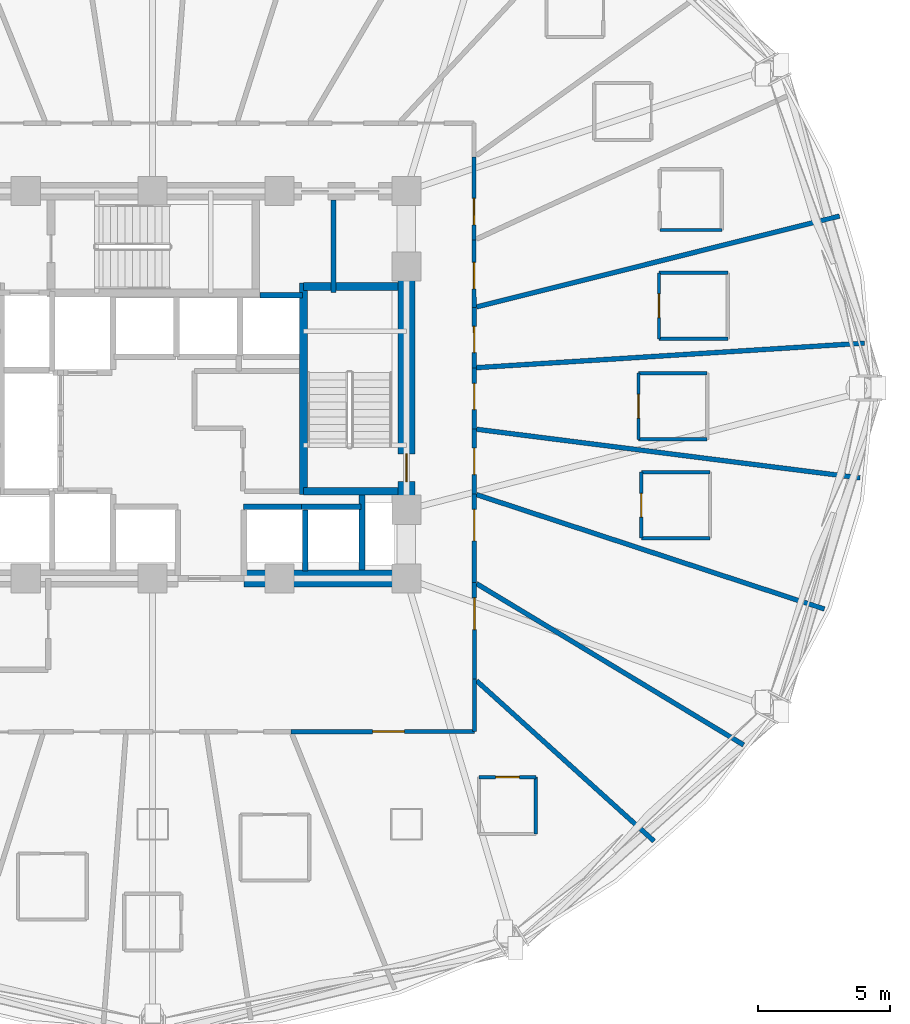
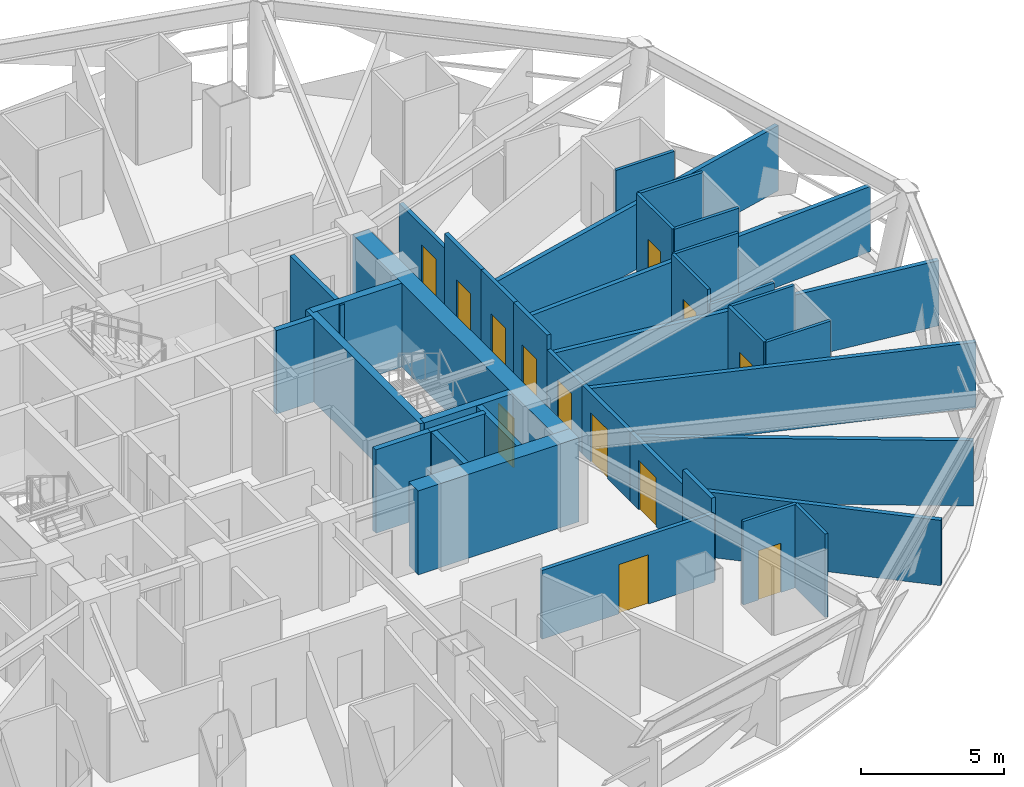
# One storey, part 7 of 13: 38 walls, 13 doors, 13 openings.
"""IFC4 building model written with IfcOpenShell, lengths in metres."""

from ifc_helpers import new_model, si_unit, direction, frame, frame_2d, origin, place, context, subcontext, project, spatial, rectangle, extrude, material, layer, layer_set, type_object, element, fill, save


model = new_model("IFC4")

# Units and contexts
model_context = context("Model", 3, precision=1e-05, world=origin(), true_north=direction((0.0, 1.0)))
body_context = subcontext(model_context, "Body", "Model", "MODEL_VIEW")
ifc_project = project(units=[si_unit("LENGTHUNIT", "METRE"), si_unit("AREAUNIT", "SQUARE_METRE"), si_unit("VOLUMEUNIT", "CUBIC_METRE"), si_unit("PLANEANGLEUNIT", "RADIAN"), si_unit("MASSUNIT", "GRAM", prefix="KILO")], contexts=[model_context])

# Site, building, storey
site_placement = place(None, origin())
site = spatial("IfcSite", under=ifc_project, at=site_placement, CompositionType="ELEMENT")
building_placement = place(site_placement, origin())
building = spatial("IfcBuilding", under=site, at=building_placement, Name="Vantalir Tower", CompositionType="ELEMENT")
storey_placement = place(building_placement, frame((0.0, 0.0, 53.25)))
storey = spatial("IfcBuildingStorey", under=building, at=storey_placement, Name="L12", CompositionType="ELEMENT", Elevation=53.25)

# Walls
ifc_material_1 = material(Name="Moisture-resistant en-suite partition", Category="gypsum")
ifc_layer_1 = layer(ifc_material_1, 0.125)
ifc_layer_set_1 = layer_set([ifc_layer_1], Name="Moisture-resistant en-suite partition")
wall_type_1 = type_object("IfcWallType", Name="WL-BATH-125", PredefinedType="PARTITIONING", material=ifc_layer_set_1)
for number, where, z_axis, x_axis, name in (
    (1, (50.656005859375, 26.863037109375, 0.0), (0.0, 0.0, 1.0), (1.0, 0.0, 0.0), "L12 En-suite 01 South Wall"),
    (2, (50.656005859375, 29.363037109375, 0.0), (0.0, 0.0, 1.0), (1.0, 0.0, 0.0), "L12 En-suite 01 North Wall"),
):
    element("IfcWall", number, at=place(storey_placement, frame(where, z_axis=z_axis, x_axis=x_axis)), inside=storey, type_object=wall_type_1, Name=name, PredefinedType="PARTITIONING", context=body_context, shape_type="SweptSolid", body=[
        extrude(rectangle(XDim=2.60009765625, YDim=0.125, at=frame_2d((1.300048828125, 0.0))), origin(), (0.0, 0.0, 1.0), 3.550048828125),
    ])

# Wall, opening, door
wall_1_placement = place(storey_placement, frame((50.656005859375, 26.863037109375, 0.0), z_axis=(0.0, 0.0, 1.0), x_axis=(0.0, 1.0, 0.0)))
wall_1 = element("IfcWall", 3, at=wall_1_placement, inside=storey, type_object=wall_type_1, Name="L12 En-suite 01 West Wall", PredefinedType="PARTITIONING", context=body_context, shape_type="SweptSolid", body=[
    extrude(rectangle(XDim=2.5, YDim=0.125, at=frame_2d((1.25, 0.0))), origin(), (0.0, 0.0, 1.0), 3.550048828125),
])
opening_1_placement = place(wall_1_placement, frame((0.800048828125, 0.0, 0.0)))
opening_1 = element("IfcOpeningElement", 4, at=opening_1_placement, cuts=wall_1, Name="Opening D-WC", PredefinedType="OPENING", context=body_context, shape_type="SweptSolid", body=[
    extrude(rectangle(XDim=0.89990234375, YDim=2.10009765625, at=frame_2d((0.449951171875, 1.050048828125))), frame((0.0, 0.072509765625, 0.0), z_axis=(0.0, -1.0, 0.0), x_axis=(1.0, 0.0, 0.0)), (0.0, 0.0, 1.0), 0.14501953125),
])
ifc_material_2 = material(Name="Moisture-resistant hardwood door", Category="wood")
door_type_1 = type_object("IfcDoorType", Name="DR-ENSUITE-900", OperationType="NOTDEFINED", PredefinedType="DOOR", material=ifc_material_2)
door_1_placement = place(opening_1_placement, frame((0.89990234375, 0.0, 0.0), z_axis=(0.0, 0.0, 1.0), x_axis=(-1.0, 0.0, 0.0)))
door_1 = element("IfcDoor", 5, at=door_1_placement, inside=storey, type_object=door_type_1, Name="L12 En-suite 01 Door", OperationType="SINGLE_SWING_RIGHT", OverallHeight=2.10009765625, OverallWidth=0.89990234375, PredefinedType="DOOR", context=body_context, shape_type="SweptSolid", body=[
    extrude(rectangle(XDim=0.89990234375, YDim=2.10009765625, at=frame_2d((0.449951171875, 1.050048828125))), frame((0.0, 0.02490234375, 0.0), z_axis=(0.0, -1.0, 0.0), x_axis=(1.0, 0.0, 0.0)), (0.0, 0.0, 1.0), 0.050048828125),
])
fill(opening_1, door_1)

# Wall
wall_2_placement = place(storey_placement, frame((50.681884765625, 30.97802734375, 0.0), z_axis=(0.0, 0.0, 1.0), x_axis=(1.0, 0.0, 0.0)))
element("IfcWall", 6, at=wall_2_placement, inside=storey, type_object=wall_type_1, Name="L12 En-suite 02 South Wall", PredefinedType="PARTITIONING", context=body_context, shape_type="SweptSolid", body=[
    extrude(rectangle(XDim=2.35009765625, YDim=0.125, at=frame_2d((1.175048828125, 0.0))), origin(), (0.0, 0.0, 1.0), 3.550048828125),
])

# Wall, opening, door
wall_3_placement = place(storey_placement, frame((43.846923828125, 10.285888671875, 0.0), z_axis=(0.0, 0.0, 1.0), x_axis=(1.0, 0.0, 0.0)))
wall_3 = element("IfcWall", 7, at=wall_3_placement, inside=storey, type_object=wall_type_1, Name="L12 En-suite 24 North Wall", PredefinedType="PARTITIONING", context=body_context, shape_type="SweptSolid", body=[
    extrude(rectangle(XDim=2.150146484375, YDim=0.125, at=frame_2d((1.0751953125, 0.0))), origin(), (0.0, 0.0, 1.0), 3.550048828125),
])
opening_2_placement = place(wall_3_placement, frame((0.625, 0.0, 0.0)))
opening_2 = element("IfcOpeningElement", 8, at=opening_2_placement, cuts=wall_3, Name="Opening D-WC", PredefinedType="OPENING", context=body_context, shape_type="SweptSolid", body=[
    extrude(rectangle(XDim=0.89990234375, YDim=2.10009765625, at=frame_2d((0.449951171875, 1.050048828125))), frame((0.0, 0.072509765625, 0.0), z_axis=(0.0, -1.0, 0.0), x_axis=(1.0, 0.0, 0.0)), (0.0, 0.0, 1.0), 0.14501953125),
])
door_2_placement = place(opening_2_placement, frame((0.89990234375, 0.0, 0.0), z_axis=(0.0, 0.0, 1.0), x_axis=(-1.0, 0.0, 0.0)))
door_2 = element("IfcDoor", 9, at=door_2_placement, inside=storey, type_object=door_type_1, Name="L12 En-suite 24 Door", OperationType="SINGLE_SWING_LEFT", OverallHeight=2.10009765625, OverallWidth=0.89990234375, PredefinedType="DOOR", context=body_context, shape_type="SweptSolid", body=[
    extrude(rectangle(XDim=0.89990234375, YDim=2.10009765625, at=frame_2d((0.449951171875, 1.050048828125))), frame((0.0, 0.02490234375, 0.0), z_axis=(0.0, -1.0, 0.0), x_axis=(1.0, 0.0, 0.0)), (0.0, 0.0, 1.0), 0.050048828125),
])
fill(opening_2, door_2)

# Walls
wall_4_placement = place(storey_placement, frame((45.9970703125, 8.135986328125, 0.0), z_axis=(0.0, 0.0, 1.0), x_axis=(0.0, 1.0, 0.0)))
element("IfcWall", 10, at=wall_4_placement, inside=storey, type_object=wall_type_1, Name="L12 En-suite 24 East Wall", PredefinedType="PARTITIONING", context=body_context, shape_type="SweptSolid", body=[
    extrude(rectangle(XDim=2.14990234375, YDim=0.125, at=frame_2d((1.074951171875, 0.0))), origin(), (0.0, 0.0, 1.0), 3.550048828125),
])
for number, where, z_axis, x_axis, name in (
    (11, (49.985107421875, 19.322998046875, 0.0), (0.0, 0.0, 1.0), (1.0, 0.0, 0.0), "L12 En-suite 27 South Wall"),
    (12, (49.985107421875, 21.822998046875, 0.0), (0.0, 0.0, 1.0), (1.0, 0.0, 0.0), "L12 En-suite 27 North Wall"),
):
    element("IfcWall", number, at=place(storey_placement, frame(where, z_axis=z_axis, x_axis=x_axis)), inside=storey, type_object=wall_type_1, Name=name, PredefinedType="PARTITIONING", context=body_context, shape_type="SweptSolid", body=[
        extrude(rectangle(XDim=2.599853515625, YDim=0.125, at=frame_2d((1.2998046875, 0.0))), origin(), (0.0, 0.0, 1.0), 3.550048828125),
    ])

# Wall, opening, door
wall_5_placement = place(storey_placement, frame((49.985107421875, 19.322998046875, 0.0), z_axis=(0.0, 0.0, 1.0), x_axis=(0.0, 1.0, 0.0)))
wall_5 = element("IfcWall", 13, at=wall_5_placement, inside=storey, type_object=wall_type_1, Name="L12 En-suite 27 West Wall", PredefinedType="PARTITIONING", context=body_context, shape_type="SweptSolid", body=[
    extrude(rectangle(XDim=2.5, YDim=0.125, at=frame_2d((1.25, 0.0))), origin(), (0.0, 0.0, 1.0), 3.550048828125),
])
opening_3_placement = place(wall_5_placement, frame((0.800048828125, 0.0, 0.0)))
opening_3 = element("IfcOpeningElement", 14, at=opening_3_placement, cuts=wall_5, Name="Opening D-WC", PredefinedType="OPENING", context=body_context, shape_type="SweptSolid", body=[
    extrude(rectangle(XDim=0.89990234375, YDim=2.10009765625, at=frame_2d((0.449951171875, 1.050048828125))), frame((0.0, 0.072509765625, 0.0), z_axis=(0.0, -1.0, 0.0), x_axis=(1.0, 0.0, 0.0)), (0.0, 0.0, 1.0), 0.14501953125),
])
door_3_placement = place(opening_3_placement, frame((0.89990234375, 0.0, 0.0), z_axis=(0.0, 0.0, 1.0), x_axis=(-1.0, 0.0, 0.0)))
door_3 = element("IfcDoor", 15, at=door_3_placement, inside=storey, type_object=door_type_1, Name="L12 En-suite 27 Door", OperationType="SINGLE_SWING_RIGHT", OverallHeight=2.10009765625, OverallWidth=0.89990234375, PredefinedType="DOOR", context=body_context, shape_type="SweptSolid", body=[
    extrude(rectangle(XDim=0.89990234375, YDim=2.10009765625, at=frame_2d((0.449951171875, 1.050048828125))), frame((0.0, 0.02490234375, 0.0), z_axis=(0.0, -1.0, 0.0), x_axis=(1.0, 0.0, 0.0)), (0.0, 0.0, 1.0), 0.050048828125),
])
fill(opening_3, door_3)

# Walls
wall_6_placement = place(storey_placement, frame((49.8779296875, 23.06298828125, 0.0), z_axis=(0.0, 0.0, 1.0), x_axis=(1.0, 0.0, 0.0)))
element("IfcWall", 16, at=wall_6_placement, inside=storey, type_object=wall_type_1, Name="L12 En-suite 28 South Wall", PredefinedType="PARTITIONING", context=body_context, shape_type="SweptSolid", body=[
    extrude(rectangle(XDim=2.60009765625, YDim=0.125, at=frame_2d((1.300048828125, 0.0))), origin(), (0.0, 0.0, 1.0), 2.927978515625),
])
wall_7_placement = place(storey_placement, frame((49.8779296875, 25.56298828125, 0.0), z_axis=(0.0, 0.0, 1.0), x_axis=(1.0, 0.0, 0.0)))
element("IfcWall", 17, at=wall_7_placement, inside=storey, type_object=wall_type_1, Name="L12 En-suite 28 North Wall", PredefinedType="PARTITIONING", context=body_context, shape_type="SweptSolid", body=[
    extrude(rectangle(XDim=2.60009765625, YDim=0.125, at=frame_2d((1.300048828125, 0.0))), origin(), (0.0, 0.0, 1.0), 3.550048828125),
])

# Wall, opening, door
wall_8_placement = place(storey_placement, frame((49.8779296875, 23.06298828125, 0.0), z_axis=(0.0, 0.0, 1.0), x_axis=(0.0, 1.0, 0.0)))
wall_8 = element("IfcWall", 18, at=wall_8_placement, inside=storey, type_object=wall_type_1, Name="L12 En-suite 28 West Wall", PredefinedType="PARTITIONING", context=body_context, shape_type="SweptSolid", body=[
    extrude(rectangle(XDim=2.5, YDim=0.125, at=frame_2d((1.25, 0.0))), origin(), (0.0, 0.0, 1.0), 3.550048828125),
])
opening_4_placement = place(wall_8_placement, frame((0.800048828125, 0.0, 0.0)))
opening_4 = element("IfcOpeningElement", 19, at=opening_4_placement, cuts=wall_8, Name="Opening D-WC", PredefinedType="OPENING", context=body_context, shape_type="SweptSolid", body=[
    extrude(rectangle(XDim=0.89990234375, YDim=2.10009765625, at=frame_2d((0.449951171875, 1.050048828125))), frame((0.0, 0.072509765625, 0.0), z_axis=(0.0, -1.0, 0.0), x_axis=(1.0, 0.0, 0.0)), (0.0, 0.0, 1.0), 0.14501953125),
])
door_4_placement = place(opening_4_placement, frame((0.89990234375, 0.0, 0.0), z_axis=(0.0, 0.0, 1.0), x_axis=(-1.0, 0.0, 0.0)))
door_4 = element("IfcDoor", 20, at=door_4_placement, inside=storey, type_object=door_type_1, Name="L12 En-suite 28 Door", OperationType="SINGLE_SWING_LEFT", OverallHeight=2.10009765625, OverallWidth=0.89990234375, PredefinedType="DOOR", context=body_context, shape_type="SweptSolid", body=[
    extrude(rectangle(XDim=0.89990234375, YDim=2.10009765625, at=frame_2d((0.449951171875, 1.050048828125))), frame((0.0, 0.02490234375, 0.0), z_axis=(0.0, -1.0, 0.0), x_axis=(1.0, 0.0, 0.0)), (0.0, 0.0, 1.0), 0.050048828125),
])
fill(opening_4, door_4)

# Wall
ifc_material_3 = material(Name="Concrete C60/75", Category="concrete")
ifc_layer_2 = layer(ifc_material_3, 0.64990234375)
ifc_layer_set_2 = layer_set([ifc_layer_2], Name="Concrete C60/75")
wall_type_2 = type_object("IfcWallType", Name="WL-CORE-650", PredefinedType="SHEAR", material=ifc_layer_set_2)
wall_9_placement = place(storey_placement, frame((34.949951171875, 17.800048828125, 0.0), z_axis=(0.0, 0.0, 1.0), x_axis=(1.0, 0.0, 0.0)))
element("IfcWall", 21, at=wall_9_placement, inside=storey, type_object=wall_type_2, Name="L12 Core Shear Wall South-East", PredefinedType="SHEAR", context=body_context, shape_type="SweptSolid", body=[
    extrude(rectangle(XDim=6.47509765625, YDim=0.64990234375, at=frame_2d((3.237548828125, 0.0))), origin(), (0.0, 0.0, 1.0), 3.570068359375),
])

# Wall, opening, door
wall_10_placement = place(storey_placement, frame((41.10009765625, 18.125, 0.0), z_axis=(0.0, 0.0, 1.0), x_axis=(0.0, 1.0, 0.0)))
wall_10 = element("IfcWall", 22, at=wall_10_placement, inside=storey, type_object=wall_type_2, Name="L12 Core Shear Wall East", PredefinedType="SHEAR", context=body_context, shape_type="SweptSolid", body=[
    extrude(rectangle(XDim=14.0, YDim=0.64990234375, at=frame_2d((7.0, 0.0))), origin(), (0.0, 0.0, 1.0), 3.570068359375),
])
opening_5_placement = place(wall_10_placement, frame((3.3349609375, 0.0, 0.0)))
opening_5 = element("IfcOpeningElement", 23, at=opening_5_placement, cuts=wall_10, Name="Opening D-ST", PredefinedType="OPENING", context=body_context, shape_type="SweptSolid", body=[
    extrude(rectangle(XDim=1.050048828125, YDim=2.10009765625, at=frame_2d((0.52490234375, 1.050048828125))), frame((0.0, 0.3349609375, 0.0), z_axis=(0.0, -1.0, 0.0), x_axis=(1.0, 0.0, 0.0)), (0.0, 0.0, 1.0), 0.669921875),
])
ifc_material_4 = material(Name="Fire-rated steel door leaf", Category="steel")
door_type_2 = type_object("IfcDoorType", Name="DR-FIRE-STAIR-1050", OperationType="NOTDEFINED", PredefinedType="DOOR", material=ifc_material_4)
door_5_placement = place(opening_5_placement, origin())
door_5 = element("IfcDoor", 24, at=door_5_placement, inside=storey, type_object=door_type_2, Name="L12 Exit Stair ST2 Fire Door", OperationType="SINGLE_SWING_LEFT", OverallHeight=2.10009765625, OverallWidth=1.050048828125, PredefinedType="DOOR", context=body_context, shape_type="SweptSolid", body=[
    extrude(rectangle(XDim=1.050048828125, YDim=2.10009765625, at=frame_2d((0.52490234375, 1.050048828125))), frame((0.0, 0.02490234375, 0.0), z_axis=(0.0, -1.0, 0.0), x_axis=(1.0, 0.0, 0.0)), (0.0, 0.0, 1.0), 0.050048828125),
])
fill(opening_5, door_5)

ifc_material_5 = material(Name="Fire-rated hotel corridor acoustic partition", Category="gypsum")
ifc_layer_3 = layer(ifc_material_5, 0.159912109375)
ifc_layer_set_3 = layer_set([ifc_layer_3], Name="Fire-rated hotel corridor acoustic partition")
wall_type_3 = type_object("IfcWallType", Name="WL-CORR-160", PredefinedType="PARTITIONING", material=ifc_layer_set_3)
wall_11_placement = place(storey_placement, frame((43.656982421875, 33.737060546875, 0.0), z_axis=(0.0, 0.0, 1.0), x_axis=(0.000933270709, -0.999999564503, 0.0)))
wall_11 = element("IfcWall", 25, at=wall_11_placement, inside=storey, type_object=wall_type_3, Name="L12 Corridor Partition 16", PredefinedType="PARTITIONING", context=body_context, shape_type="SweptSolid", body=[
    extrude(rectangle(XDim=3.13916015625, YDim=0.159912109375, at=frame_2d((1.569580078125, 0.0))), origin(), (0.0, 0.0, 1.0), 2.927978515625),
])
opening_6_placement = place(wall_11_placement, frame((1.55908203125, 0.0, 0.0)))
opening_6 = element("IfcOpeningElement", 26, at=opening_6_placement, cuts=wall_11, Name="Opening D-GUEST", PredefinedType="OPENING", context=body_context, shape_type="SweptSolid", body=[
    extrude(rectangle(XDim=1.0, YDim=2.10009765625, at=frame_2d((0.5, 1.050048828125))), frame((0.0, 0.08984375, 0.0), z_axis=(0.0, -1.0, 0.0), x_axis=(1.0, 0.0, 0.0)), (0.0, 0.0, 1.0), 0.179931640625),
])
ifc_material_6 = material(Name="Solid-core teak veneer acoustic fire door", Category="wood")
door_type_3 = type_object("IfcDoorType", Name="DR-GUEST-ENTRY-1000", OperationType="NOTDEFINED", PredefinedType="DOOR", material=ifc_material_6)
door_6_placement = place(opening_6_placement, origin())
door_6 = element("IfcDoor", 27, at=door_6_placement, inside=storey, type_object=door_type_3, Name="L12 Deluxe King Hotel Room 03 Door", OperationType="SINGLE_SWING_LEFT", OverallHeight=2.10009765625, OverallWidth=1.0, PredefinedType="DOOR", context=body_context, shape_type="SweptSolid", body=[
    extrude(rectangle(XDim=1.0, YDim=2.10009765625, at=frame_2d((0.5, 1.050048828125))), frame((0.0, 0.02490234375, 0.0), z_axis=(0.0, -1.0, 0.0), x_axis=(1.0, 0.0, 0.0)), (0.0, 0.0, 1.0), 0.050048828125),
])
fill(opening_6, door_6)

wall_12_placement = place(storey_placement, frame((43.659912109375, 30.597900390625, 0.0), z_axis=(0.0, 0.0, 1.0), x_axis=(0.000382848364, -0.999999926714, 0.0)))
wall_12 = element("IfcWall", 28, at=wall_12_placement, inside=storey, type_object=wall_type_3, Name="L12 Corridor Partition 17", PredefinedType="PARTITIONING", context=body_context, shape_type="SweptSolid", body=[
    extrude(rectangle(XDim=2.55078125, YDim=0.159912109375, at=frame_2d((1.275390625, 0.0))), origin(), (0.0, 0.0, 1.0), 3.550048828125),
])
opening_7_placement = place(wall_12_placement, frame((0.843994140625, 0.0, 0.0)))
opening_7 = element("IfcOpeningElement", 29, at=opening_7_placement, cuts=wall_12, Name="Opening D-GUEST", PredefinedType="OPENING", context=body_context, shape_type="SweptSolid", body=[
    extrude(rectangle(XDim=1.0, YDim=2.10009765625, at=frame_2d((0.5, 1.050048828125))), frame((0.0, 0.08984375, 0.0), z_axis=(0.0, -1.0, 0.0), x_axis=(1.0, 0.0, 0.0)), (0.0, 0.0, 1.0), 0.179931640625),
])
door_7_placement = place(opening_7_placement, origin())
door_7 = element("IfcDoor", 30, at=door_7_placement, inside=storey, type_object=door_type_3, Name="L12 Deluxe King Hotel Room 02 Door", OperationType="SINGLE_SWING_RIGHT", OverallHeight=2.10009765625, OverallWidth=1.0, PredefinedType="DOOR", context=body_context, shape_type="SweptSolid", body=[
    extrude(rectangle(XDim=1.0, YDim=2.10009765625, at=frame_2d((0.5, 1.050048828125))), frame((0.0, 0.02490234375, 0.0), z_axis=(0.0, -1.0, 0.0), x_axis=(1.0, 0.0, 0.0)), (0.0, 0.0, 1.0), 0.050048828125),
])
fill(opening_7, door_7)

wall_13_placement = place(storey_placement, frame((43.660888671875, 28.047119140625, 0.0), z_axis=(0.0, 0.0, 1.0), x_axis=(0.000964526397, -0.999999534844, 0.0)))
wall_13 = element("IfcWall", 31, at=wall_13_placement, inside=storey, type_object=wall_type_3, Name="L12 Corridor Partition 18", PredefinedType="PARTITIONING", context=body_context, shape_type="SweptSolid", body=[
    extrude(rectangle(XDim=2.278076171875, YDim=0.159912109375, at=frame_2d((1.13916015625, 0.0))), origin(), (0.0, 0.0, 1.0), 3.550048828125),
])
opening_8_placement = place(wall_13_placement, frame((0.70703125, 0.0, 0.0)))
opening_8 = element("IfcOpeningElement", 32, at=opening_8_placement, cuts=wall_13, Name="Opening D-GUEST", PredefinedType="OPENING", context=body_context, shape_type="SweptSolid", body=[
    extrude(rectangle(XDim=1.0, YDim=2.10009765625, at=frame_2d((0.5, 1.050048828125))), frame((0.0, 0.08984375, 0.0), z_axis=(0.0, -1.0, 0.0), x_axis=(1.0, 0.0, 0.0)), (0.0, 0.0, 1.0), 0.179931640625),
])
door_8_placement = place(opening_8_placement, origin())
door_8 = element("IfcDoor", 33, at=door_8_placement, inside=storey, type_object=door_type_3, Name="L12 Twin Queen Hotel Room 01 Door", OperationType="SINGLE_SWING_LEFT", OverallHeight=2.10009765625, OverallWidth=1.0, PredefinedType="DOOR", context=body_context, shape_type="SweptSolid", body=[
    extrude(rectangle(XDim=1.0, YDim=2.10009765625, at=frame_2d((0.5, 1.050048828125))), frame((0.0, 0.02490234375, 0.0), z_axis=(0.0, -1.0, 0.0), x_axis=(1.0, 0.0, 0.0)), (0.0, 0.0, 1.0), 0.050048828125),
])
fill(opening_8, door_8)

wall_14_placement = place(storey_placement, frame((43.6630859375, 25.76904296875, 0.0), z_axis=(0.0, 0.0, 1.0), x_axis=(0.000844059628, -0.999999643782, 0.0)))
wall_14 = element("IfcWall", 34, at=wall_14_placement, inside=storey, type_object=wall_type_3, Name="L12 Corridor Partition 19", PredefinedType="PARTITIONING", context=body_context, shape_type="SweptSolid", body=[
    extrude(rectangle(XDim=2.31396484375, YDim=0.159912109375, at=frame_2d((1.156982421875, 0.0))), origin(), (0.0, 0.0, 1.0), 3.550048828125),
])
opening_9_placement = place(wall_14_placement, frame((0.5859375, 0.0, 0.0)))
opening_9 = element("IfcOpeningElement", 35, at=opening_9_placement, cuts=wall_14, Name="Opening D-GUEST", PredefinedType="OPENING", context=body_context, shape_type="SweptSolid", body=[
    extrude(rectangle(XDim=1.0, YDim=2.10009765625, at=frame_2d((0.5, 1.050048828125))), frame((0.0, 0.08984375, 0.0), z_axis=(0.0, -1.0, 0.0), x_axis=(1.0, 0.0, 0.0)), (0.0, 0.0, 1.0), 0.179931640625),
])
door_9_placement = place(opening_9_placement, origin())
door_9 = element("IfcDoor", 36, at=door_9_placement, inside=storey, type_object=door_type_3, Name="L12 Deluxe King Hotel Room 28 Door", OperationType="SINGLE_SWING_RIGHT", OverallHeight=2.10009765625, OverallWidth=1.0, PredefinedType="DOOR", context=body_context, shape_type="SweptSolid", body=[
    extrude(rectangle(XDim=1.0, YDim=2.10009765625, at=frame_2d((0.5, 1.050048828125))), frame((0.0, 0.02490234375, 0.0), z_axis=(0.0, -1.0, 0.0), x_axis=(1.0, 0.0, 0.0)), (0.0, 0.0, 1.0), 0.050048828125),
])
fill(opening_9, door_9)

wall_15_placement = place(storey_placement, frame((43.6650390625, 23.455078125, 0.0), z_axis=(0.0, 0.0, 1.0), x_axis=(0.000397614283, -0.999999920951, 0.0)))
wall_15 = element("IfcWall", 37, at=wall_15_placement, inside=storey, type_object=wall_type_3, Name="L12 Corridor Partition 20", PredefinedType="PARTITIONING", context=body_context, shape_type="SweptSolid", body=[
    extrude(rectangle(XDim=2.4560546875, YDim=0.159912109375, at=frame_2d((1.22802734375, 0.0))), origin(), (0.0, 0.0, 1.0), 2.927978515625),
])
opening_10_placement = place(wall_15_placement, frame((0.72802734375, 0.0, 0.0)))
opening_10 = element("IfcOpeningElement", 38, at=opening_10_placement, cuts=wall_15, Name="Opening D-GUEST", PredefinedType="OPENING", context=body_context, shape_type="SweptSolid", body=[
    extrude(rectangle(XDim=1.0, YDim=2.10009765625, at=frame_2d((0.5, 1.050048828125))), frame((0.0, 0.08984375, 0.0), z_axis=(0.0, -1.0, 0.0), x_axis=(1.0, 0.0, 0.0)), (0.0, 0.0, 1.0), 0.179931640625),
])
door_10_placement = place(opening_10_placement, origin())
door_10 = element("IfcDoor", 39, at=door_10_placement, inside=storey, type_object=door_type_3, Name="L12 Twin Queen Hotel Room 27 Door", OperationType="SINGLE_SWING_LEFT", OverallHeight=2.10009765625, OverallWidth=1.0, PredefinedType="DOOR", context=body_context, shape_type="SweptSolid", body=[
    extrude(rectangle(XDim=1.0, YDim=2.10009765625, at=frame_2d((0.5, 1.050048828125))), frame((0.0, 0.02490234375, 0.0), z_axis=(0.0, -1.0, 0.0), x_axis=(1.0, 0.0, 0.0)), (0.0, 0.0, 1.0), 0.050048828125),
])
fill(opening_10, door_10)

wall_16_placement = place(storey_placement, frame((43.666015625, 20.9990234375, 0.0), z_axis=(0.0, 0.0, 1.0), x_axis=(0.000875592514, -0.999999616669, 0.0)))
wall_16 = element("IfcWall", 40, at=wall_16_placement, inside=storey, type_object=wall_type_3, Name="L12 Corridor Partition 21", PredefinedType="PARTITIONING", context=body_context, shape_type="SweptSolid", body=[
    extrude(rectangle(XDim=3.345947265625, YDim=0.159912109375, at=frame_2d((1.6728515625, 0.0))), origin(), (0.0, 0.0, 1.0), 2.927978515625),
])
opening_11_placement = place(wall_16_placement, frame((0.5810546875, 0.0, 0.0)))
opening_11 = element("IfcOpeningElement", 41, at=opening_11_placement, cuts=wall_16, Name="Opening D-STE", PredefinedType="OPENING", context=body_context, shape_type="SweptSolid", body=[
    extrude(rectangle(XDim=1.199951171875, YDim=2.10009765625, at=frame_2d((0.60009765625, 1.050048828125))), frame((0.0, 0.08984375, 0.0), z_axis=(0.0, -1.0, 0.0), x_axis=(1.0, 0.0, 0.0)), (0.0, 0.0, 1.0), 0.179931640625),
])
ifc_material_7 = material(Name="Solid-core teak veneer suite entrance door", Category="wood")
door_type_4 = type_object("IfcDoorType", Name="DR-SUITE-ENTRY-1200", OperationType="NOTDEFINED", PredefinedType="DOOR", material=ifc_material_7)
door_11_placement = place(opening_11_placement, origin())
door_11 = element("IfcDoor", 42, at=door_11_placement, inside=storey, type_object=door_type_4, Name="L12 Executive Sky Boardroom 26 Door", OperationType="SINGLE_SWING_RIGHT", OverallHeight=2.10009765625, OverallWidth=1.199951171875, PredefinedType="DOOR", context=body_context, shape_type="SweptSolid", body=[
    extrude(rectangle(XDim=1.199951171875, YDim=2.10009765625, at=frame_2d((0.60009765625, 1.050048828125))), frame((0.0, 0.02490234375, 0.0), z_axis=(0.0, -1.0, 0.0), x_axis=(1.0, 0.0, 0.0)), (0.0, 0.0, 1.0), 0.050048828125),
])
fill(opening_11, door_11)

wall_17_placement = place(storey_placement, frame((43.6689453125, 17.653076171875, 0.0), z_axis=(0.0, 0.0, 1.0), x_axis=(0.000535081189, -0.999999856844, 0.0)))
wall_17 = element("IfcWall", 43, at=wall_17_placement, inside=storey, type_object=wall_type_3, Name="L12 Corridor Partition 22", PredefinedType="PARTITIONING", context=body_context, shape_type="SweptSolid", body=[
    extrude(rectangle(XDim=3.650146484375, YDim=0.159912109375, at=frame_2d((1.8251953125, 0.0))), origin(), (0.0, 0.0, 1.0), 2.927978515625),
])
opening_12_placement = place(wall_17_placement, frame((0.5859375, 0.0, 0.0)))
opening_12 = element("IfcOpeningElement", 44, at=opening_12_placement, cuts=wall_17, Name="Opening D-STE", PredefinedType="OPENING", context=body_context, shape_type="SweptSolid", body=[
    extrude(rectangle(XDim=1.199951171875, YDim=2.10009765625, at=frame_2d((0.60009765625, 1.050048828125))), frame((0.0, 0.08984375, 0.0), z_axis=(0.0, -1.0, 0.0), x_axis=(1.0, 0.0, 0.0)), (0.0, 0.0, 1.0), 0.179931640625),
])
door_12_placement = place(opening_12_placement, origin())
door_12 = element("IfcDoor", 45, at=door_12_placement, inside=storey, type_object=door_type_4, Name="L12 Executive Business Study 25 Door", OperationType="SINGLE_SWING_LEFT", OverallHeight=2.10009765625, OverallWidth=1.199951171875, PredefinedType="DOOR", context=body_context, shape_type="SweptSolid", body=[
    extrude(rectangle(XDim=1.199951171875, YDim=2.10009765625, at=frame_2d((0.60009765625, 1.050048828125))), frame((0.0, 0.02490234375, 0.0), z_axis=(0.0, -1.0, 0.0), x_axis=(1.0, 0.0, 0.0)), (0.0, 0.0, 1.0), 0.050048828125),
])
fill(opening_12, door_12)

# Wall
wall_18_placement = place(storey_placement, frame((43.6708984375, 14.0029296875, 0.0), z_axis=(0.0, 0.0, 1.0), x_axis=(0.001101995168, -0.999999392803, 0.0)))
element("IfcWall", 46, at=wall_18_placement, inside=storey, type_object=wall_type_3, Name="L12 Corridor Partition 23", PredefinedType="PARTITIONING", context=body_context, shape_type="SweptSolid", body=[
    extrude(rectangle(XDim=1.993896484375, YDim=0.159912109375, at=frame_2d((0.9970703125, 0.0))), origin(), (0.0, 0.0, 1.0), 3.550048828125),
])

# Wall, opening, door
wall_19_placement = place(storey_placement, frame((43.673095703125, 12.009033203125, 0.0), z_axis=(0.0, 0.0, 1.0), x_axis=(-0.999999726963, -0.000738968058, 0.0)))
wall_19 = element("IfcWall", 47, at=wall_19_placement, inside=storey, type_object=wall_type_3, Name="L12 Corridor Partition 24", PredefinedType="PARTITIONING", context=body_context, shape_type="SweptSolid", body=[
    extrude(rectangle(XDim=6.93798828125, YDim=0.159912109375, at=frame_2d((3.468994140625, 0.0))), origin(), (0.0, 0.0, 1.0), 2.927978515625),
])
opening_13_placement = place(wall_19_placement, frame((2.64892578125, 0.0, 0.0)))
opening_13 = element("IfcOpeningElement", 48, at=opening_13_placement, cuts=wall_19, Name="Opening D-STE", PredefinedType="OPENING", context=body_context, shape_type="SweptSolid", body=[
    extrude(rectangle(XDim=1.199951171875, YDim=2.10009765625, at=frame_2d((0.60009765625, 1.050048828125))), frame((0.0, 0.08984375, 0.0), z_axis=(0.0, -1.0, 0.0), x_axis=(1.0, 0.0, 0.0)), (0.0, 0.0, 1.0), 0.179931640625),
])
door_13_placement = place(opening_13_placement, origin())
door_13 = element("IfcDoor", 49, at=door_13_placement, inside=storey, type_object=door_type_4, Name="L12 Corner Panorama Hotel Suite 24 Door", OperationType="SINGLE_SWING_RIGHT", OverallHeight=2.10009765625, OverallWidth=1.199951171875, PredefinedType="DOOR", context=body_context, shape_type="SweptSolid", body=[
    extrude(rectangle(XDim=1.199951171875, YDim=2.10009765625, at=frame_2d((0.60009765625, 1.050048828125))), frame((0.0, 0.02490234375, 0.0), z_axis=(0.0, -1.0, 0.0), x_axis=(1.0, 0.0, 0.0)), (0.0, 0.0, 1.0), 0.050048828125),
])
fill(opening_13, door_13)

# Walls
ifc_material_8 = material(Name="Concrete blockwork with fireboard lining", Category="masonry")
ifc_layer_4 = layer(ifc_material_8, 0.219970703125)
ifc_layer_set_4 = layer_set([ifc_layer_4], Name="Concrete blockwork with fireboard lining")
wall_type_4 = type_object("IfcWallType", Name="WL-FFL-220", PredefinedType="PARTITIONING", material=ifc_layer_set_4)
wall_20_placement = place(storey_placement, frame((37.27490234375, 18.080078125, 0.0), z_axis=(0.0, 0.0, 1.0), x_axis=(0.0, 1.0, 0.0)))
element("IfcWall", 50, at=wall_20_placement, inside=storey, type_object=wall_type_4, Name="L12 Shuttle Lift PL-X2/X3 Shaft Divider", PredefinedType="PARTITIONING", context=body_context, shape_type="SweptSolid", body=[
    extrude(rectangle(XDim=2.309814453125, YDim=0.219970703125, at=frame_2d((1.15478515625, 0.0))), origin(), (0.0, 0.0, 1.0), 3.544921875),
])
wall_21_placement = place(storey_placement, frame((39.419921875, 18.125, 0.0), z_axis=(0.0, 0.0, 1.0), x_axis=(0.0, 1.0, 0.0)))
element("IfcWall", 51, at=wall_21_placement, inside=storey, type_object=wall_type_4, Name="L12 East MEP Riser Wall W", PredefinedType="PARTITIONING", context=body_context, shape_type="SweptSolid", body=[
    extrude(rectangle(XDim=2.824951171875, YDim=0.219970703125, at=frame_2d((1.41259765625, 0.0))), origin(), (0.0, 0.0, 1.0), 3.550048828125),
])
for number, where, z_axis, x_axis, name in (
    (52, (37.139892578125, 20.510009765625, 0.0), (0.0, 0.0, 1.0), (1.0, 0.0, 0.0), "L12 Lift PL-X2 Shaft Rear Wall"),
    (53, (34.93994140625, 20.510009765625, 0.0), (0.0, 0.0, 1.0), (1.0, 0.0, 0.0), "L12 Lift PL-X3 Shaft Front Wall"),
):
    element("IfcWall", number, at=place(storey_placement, frame(where, z_axis=z_axis, x_axis=x_axis)), inside=storey, type_object=wall_type_4, Name=name, PredefinedType="PARTITIONING", context=body_context, shape_type="SweptSolid", body=[
        extrude(rectangle(XDim=2.239990234375, YDim=0.219970703125, at=frame_2d((1.1201171875, 0.0))), origin(), (0.0, 0.0, 1.0), 3.550048828125),
    ])
wall_22_placement = place(storey_placement, frame((35.56005859375, 28.510009765625, 0.0), z_axis=(0.0, 0.0, 1.0), x_axis=(1.0, 0.0, 0.0)))
element("IfcWall", 54, at=wall_22_placement, inside=storey, type_object=wall_type_4, Name="L12 Lift PL-H3 Shaft Front Wall", PredefinedType="PARTITIONING", context=body_context, shape_type="SweptSolid", body=[
    extrude(rectangle(XDim=1.599853515625, YDim=0.219970703125, at=frame_2d((0.7998046875, 0.0))), origin(), (0.0, 0.0, 1.0), 3.550048828125),
])
ifc_material_9 = material(Name="Twin-stud acoustic fire-rated gypsum partition", Category="gypsum")
ifc_layer_5 = layer(ifc_material_9, 0.179931640625)
ifc_layer_set_5 = layer_set([ifc_layer_5], Name="Twin-stud acoustic fire-rated gypsum partition")
wall_type_5 = type_object("IfcWallType", Name="WL-GUEST-180", PredefinedType="PARTITIONING", material=ifc_layer_set_5)
wall_23_placement = place(storey_placement, frame((38.340087890625, 28.6201171875, 0.0), z_axis=(0.0, 0.0, 1.0), x_axis=(0.0, 1.0, 0.0)))
element("IfcWall", 55, at=wall_23_placement, inside=storey, type_object=wall_type_5, Name="L12 High-Rise Lift Lobby East Wall", PredefinedType="PARTITIONING", context=body_context, shape_type="SweptSolid", body=[
    extrude(rectangle(XDim=3.5048828125, YDim=0.179931640625, at=frame_2d((1.75244140625, 0.0))), origin(), (0.0, 0.0, 1.0), 3.550048828125),
])
wall_24_placement = place(storey_placement, frame((43.7529296875, 25.77392578125, 0.0), z_axis=(0.0, 0.0, 1.0), x_axis=(0.998009231822, 0.063068004547, 0.0)))
element("IfcWall", 56, at=wall_24_placement, inside=storey, type_object=wall_type_5, Name="L12 Radial Suite Partition 01", PredefinedType="PARTITIONING", context=body_context, shape_type="SweptSolid", body=[
    extrude(rectangle(XDim=14.698486328125, YDim=0.179931640625, at=frame_2d((7.34912109375, 0.0))), origin(), (0.0, 0.0, 1.0), 2.77490234375),
])
wall_25_placement = place(storey_placement, frame((43.7529296875, 28.070068359375, 0.0), z_axis=(0.0, 0.0, 1.0), x_axis=(0.970018590768, 0.243030725558, 0.0)))
element("IfcWall", 57, at=wall_25_placement, inside=storey, type_object=wall_type_5, Name="L12 Radial Suite Partition 02", PredefinedType="PARTITIONING", context=body_context, shape_type="SweptSolid", body=[
    extrude(rectangle(XDim=14.154296875, YDim=0.179931640625, at=frame_2d((7.0771484375, 0.0))), origin(), (0.0, 0.0, 1.0), 2.77490234375),
])
wall_26_placement = place(storey_placement, frame((43.7529296875, 13.929931640625, 0.0), z_axis=(0.0, 0.0, 1.0), x_axis=(0.741978761497, -0.670423386739, 0.0)))
element("IfcWall", 58, at=wall_26_placement, inside=storey, type_object=wall_type_5, Name="L12 Radial Suite Partition 25", PredefinedType="PARTITIONING", context=body_context, shape_type="SweptSolid", body=[
    extrude(rectangle(XDim=9.044921875, YDim=0.179931640625, at=frame_2d((4.5224609375, 0.0))), origin(), (0.0, 0.0, 1.0), 2.77490234375),
])
wall_27_placement = place(storey_placement, frame((43.7529296875, 17.60302734375, 0.0), z_axis=(0.0, 0.0, 1.0), x_axis=(0.856050971563, -0.516891414212, 0.0)))
element("IfcWall", 59, at=wall_27_placement, inside=storey, type_object=wall_type_5, Name="L12 Radial Suite Partition 26", PredefinedType="PARTITIONING", context=body_context, shape_type="SweptSolid", body=[
    extrude(rectangle(XDim=11.799560546875, YDim=0.179931640625, at=frame_2d((5.89990234375, 0.0))), origin(), (0.0, 0.0, 1.0), 2.77490234375),
])
wall_28_placement = place(storey_placement, frame((43.7529296875, 20.970947265625, 0.0), z_axis=(0.0, 0.0, 1.0), x_axis=(0.949941417746, -0.312428076284, 0.0)))
element("IfcWall", 60, at=wall_28_placement, inside=storey, type_object=wall_type_5, Name="L12 Radial Suite Partition 27", PredefinedType="PARTITIONING", context=body_context, shape_type="SweptSolid", body=[
    extrude(rectangle(XDim=13.849365234375, YDim=0.179931640625, at=frame_2d((6.9248046875, 0.0))), origin(), (0.0, 0.0, 1.0), 2.77490234375),
])
wall_29_placement = place(storey_placement, frame((43.7529296875, 23.444091796875, 0.0), z_axis=(0.0, 0.0, 1.0), x_axis=(0.992038929139, -0.125931580921, 0.0)))
element("IfcWall", 61, at=wall_29_placement, inside=storey, type_object=wall_type_5, Name="L12 Radial Suite Partition 28", PredefinedType="PARTITIONING", context=body_context, shape_type="SweptSolid", body=[
    extrude(rectangle(XDim=14.61962890625, YDim=0.179931640625, at=frame_2d((7.309814453125, 0.0))), origin(), (0.0, 0.0, 1.0), 2.77490234375),
])
ifc_material_10 = material(Name="Concrete C50/60", Category="concrete")
ifc_layer_6 = layer(ifc_material_10, 0.300048828125)
ifc_layer_set_6 = layer_set([ifc_layer_6], Name="Concrete C50/60")
wall_type_6 = type_object("IfcWallType", Name="WL-STAIR-300", PredefinedType="SHEAR", material=ifc_layer_set_6)
for number, where, z_axis, x_axis, name in (
    (62, (37.2099609375, 21.10009765625, 0.0), (0.0, 0.0, 1.0), (1.0, 0.0, 0.0), "L12 Stair ST2 South Wall"),
    (63, (37.2099609375, 28.85009765625, 0.0), (0.0, 0.0, 1.0), (1.0, 0.0, 0.0), "L12 Stair ST2 North Wall"),
):
    element("IfcWall", number, at=place(storey_placement, frame(where, z_axis=z_axis, x_axis=x_axis)), inside=storey, type_object=wall_type_6, Name=name, PredefinedType="SHEAR", context=body_context, shape_type="SweptSolid", body=[
        extrude(rectangle(XDim=3.56494140625, YDim=0.300048828125, at=frame_2d((1.782470703125, 0.0))), origin(), (0.0, 0.0, 1.0), 3.570068359375),
    ])
wall_30_placement = place(storey_placement, frame((37.2099609375, 20.97998046875, 0.0), z_axis=(0.0, 0.0, 1.0), x_axis=(0.0, 1.0, 0.0)))
element("IfcWall", 64, at=wall_30_placement, inside=storey, type_object=wall_type_6, Name="L12 Stair ST2 West Wall", PredefinedType="SHEAR", context=body_context, shape_type="SweptSolid", body=[
    extrude(rectangle(XDim=7.989990234375, YDim=0.300048828125, at=frame_2d((3.9951171875, 0.0))), origin(), (0.0, 0.0, 1.0), 3.570068359375),
])

save(model, "model.ifc")
